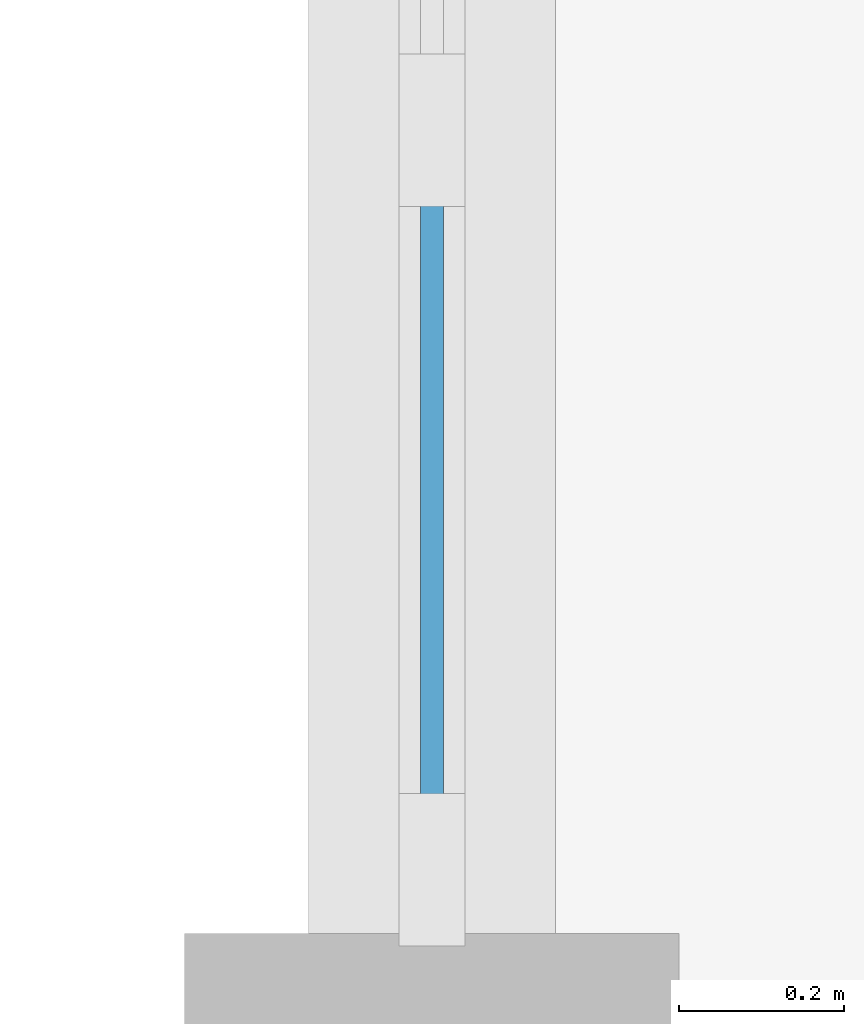
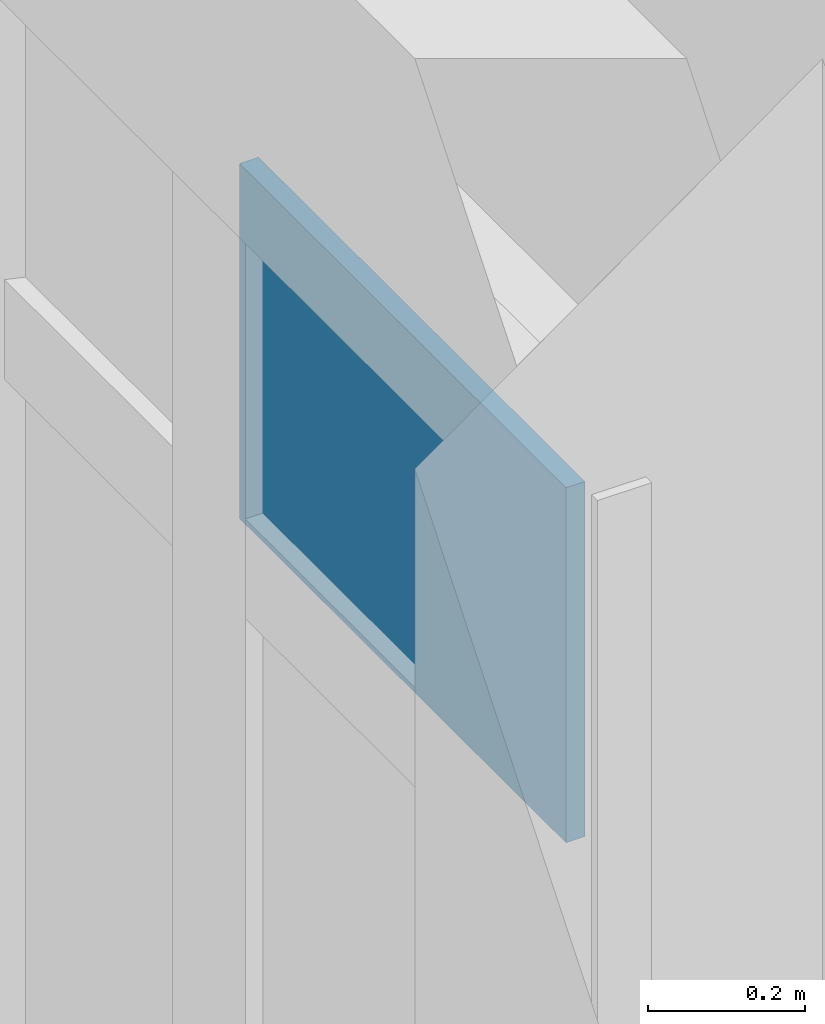
# One storey, part 46 of 62: 1 plate, 1 element without a shape of its own.
"""IFC4 building model written with IfcOpenShell, lengths in metres."""

from ifc_helpers import new_model, si_unit, direction, frame, origin, origin_2d, place, context, subcontext, project, spatial, rectangle, extrude, material, layer, layer_set, type_object, element, aggregate, save


model = new_model("IFC4")

# Units and contexts
model_context = context("Model", 3, precision=1e-05, world=origin(), true_north=direction((0.0, 1.0)))
body_context = subcontext(model_context, "Body", "Model", "MODEL_VIEW")
ifc_project = project(units=[si_unit("LENGTHUNIT", "METRE"), si_unit("AREAUNIT", "SQUARE_METRE"), si_unit("VOLUMEUNIT", "CUBIC_METRE"), si_unit("PLANEANGLEUNIT", "RADIAN"), si_unit("MASSUNIT", "GRAM", prefix="KILO")], contexts=[model_context])

# Site, building, storey
site_placement = place(None, origin())
site = spatial("IfcSite", under=ifc_project, at=site_placement, CompositionType="ELEMENT")
building_placement = place(site_placement, origin())
building = spatial("IfcBuilding", under=site, at=building_placement, Name="Kavelor Marine Aquarium", CompositionType="ELEMENT")
storey_placement = place(building_placement, frame((0.0, 0.0, 13.5)))
storey = spatial("IfcBuildingStorey", under=building, at=storey_placement, Name="L03", CompositionType="ELEMENT", Elevation=13.5)

# Curtain wall, plate
ifc_material_1 = material(Name="Thermally Broken Aluminium and Low-E Glass", Category="aluminium")
ifc_layer_1 = layer(ifc_material_1, 0.156005859375)
ifc_layer_set_1 = layer_set([ifc_layer_1], Name="CW-SYS2")
curtain_wall_type = type_object("IfcCurtainWallType", Name="CW-SYS2", PredefinedType="USERDEFINED", material=ifc_layer_set_1)
curtain_wall_placement = place(storey_placement, origin())
curtain_wall = element("IfcCurtainWall", 1, at=curtain_wall_placement, inside=storey, type_object=curtain_wall_type, Name="cw:y:L03:16_08", ObjectType="Curtain Wall", PredefinedType="USERDEFINED")
ifc_material_2 = material(Name="Solar-Control Double Low-E Glazing", Category="glass")
ifc_layer_2 = layer(ifc_material_2, 0.028076171875)
ifc_layer_set_2 = layer_set([ifc_layer_2], Name="CWP-02")
plate_type = type_object("IfcPlateType", Name="CWP-02", PredefinedType="CURTAIN_PANEL", material=ifc_layer_set_2)
plate_placement = place(storey_placement, frame((118.39990234375, 61.226318359375, 2.6826171875), z_axis=(0.0, 0.0, 1.0), x_axis=(0.0, -1.0, 0.0)))
plate = element("IfcPlate", 2, at=plate_placement, type_object=plate_type, Name="CW02 panel 7.3", PredefinedType="CURTAIN_PANEL", context=body_context, shape_type="SweptSolid", body=[
    extrude(rectangle(XDim=0.83251953125, YDim=0.028076171875, at=origin_2d()), origin(), (0.0, 0.0, 1.0), 0.552490234375),
])
aggregate(curtain_wall, [plate])

save(model, "model.ifc")
